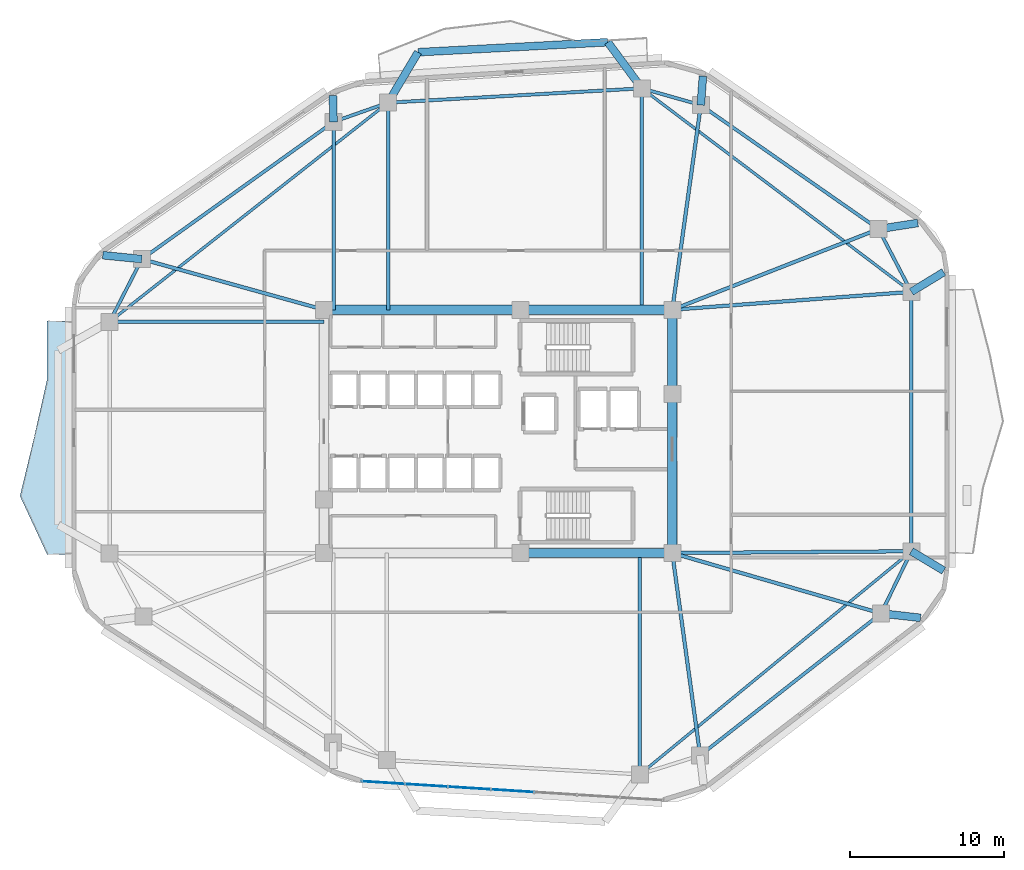
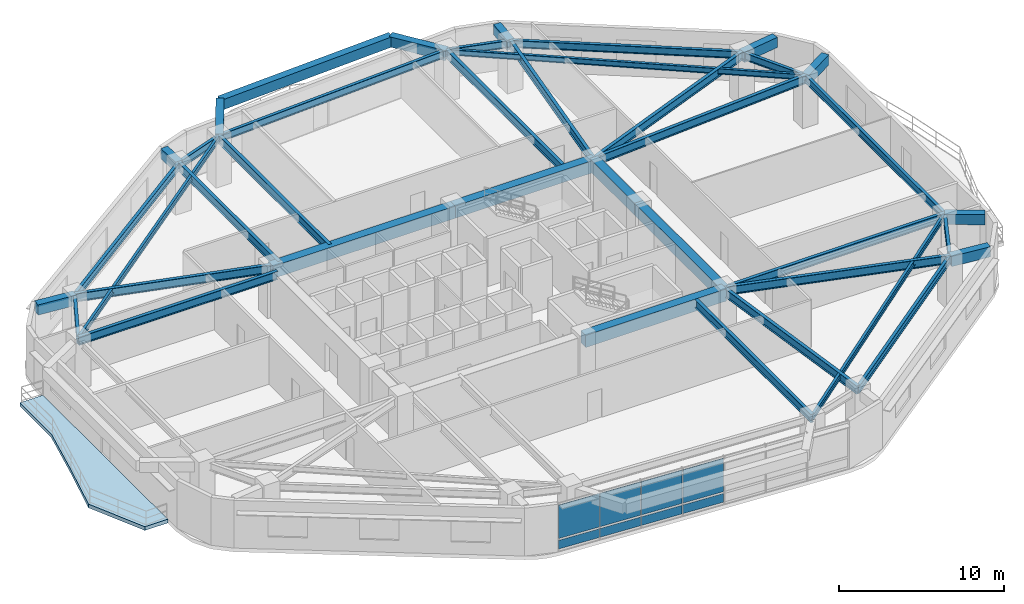
# One storey, part 5 of 12: 40 beams, 8 plates, 1 slab, 1 element without a shape of its own.
"""IFC4 building model written with IfcOpenShell, lengths in metres."""

from ifc_helpers import new_model, si_unit, direction, frame, origin, origin_2d, place, context, subcontext, project, spatial, polyline, rectangle, i_section, outline, extrude, material, layer, layer_set, material_profile, profile_set, type_object, element, aggregate, save


model = new_model("IFC4")

# Units and contexts
model_context = context("Model", 3, precision=1e-05, world=origin(), true_north=direction((0.0, 1.0)))
body_context = subcontext(model_context, "Body", "Model", "MODEL_VIEW")
ifc_project = project(units=[si_unit("LENGTHUNIT", "METRE"), si_unit("AREAUNIT", "SQUARE_METRE"), si_unit("VOLUMEUNIT", "CUBIC_METRE"), si_unit("PLANEANGLEUNIT", "RADIAN"), si_unit("MASSUNIT", "GRAM", prefix="KILO")], contexts=[model_context])

# Site, building, storey
site_placement = place(None, origin())
site = spatial("IfcSite", under=ifc_project, at=site_placement, CompositionType="ELEMENT")
building_placement = place(site_placement, origin())
building = spatial("IfcBuilding", under=site, at=building_placement, Name="Zulverin Broadcast Headquarters", CompositionType="ELEMENT")
storey_placement = place(building_placement, frame((0.0, 0.0, 93.39990234375)))
storey = spatial("IfcBuildingStorey", under=building, at=storey_placement, Name="L23", CompositionType="ELEMENT", Elevation=93.39990234375)

# Beams
ifc_material_1 = material(Name="Concrete C60/75", Category="concrete")
ifc_material_profile_1 = material_profile(ifc_material_1, rectangle(XDim=0.60009765625, YDim=0.89990234375, at=origin_2d()), Name="Concrete C60/75", Category="concrete")
ifc_profile_set_1 = profile_set([ifc_material_profile_1], Name="Concrete C60/75")
beam_type_1 = type_object("IfcBeamType", Name="BM-CB-600x900", PredefinedType="LINTEL", material=ifc_profile_set_1)
beam_1_placement = place(storey_placement, frame((38.449951171875, 17.324951171875, 3.0751953125), z_axis=(1.0, 0.0, 0.0), x_axis=(0.0, 1.0, 0.0)))
element("IfcBeam", 1, at=beam_1_placement, inside=storey, type_object=beam_type_1, Name="L23 Core Coupling Girder K02-K03", PredefinedType="LINTEL", context=body_context, shape_type="SweptSolid", body=[
    extrude(rectangle(XDim=0.60009765625, YDim=0.89990234375, at=origin_2d()), origin(), (0.0, 0.0, 1.0), 9.824951171875),
])
beam_2_placement = place(storey_placement, frame((48.27490234375, 17.324951171875, 3.0751953125), z_axis=(0.0, 1.0, 0.0), x_axis=(-1.0, 0.0, 0.0)))
element("IfcBeam", 2, at=beam_2_placement, inside=storey, type_object=beam_type_1, Name="L23 Core Coupling Girder K03-K04", PredefinedType="LINTEL", context=body_context, shape_type="SweptSolid", body=[
    extrude(rectangle(XDim=0.60009765625, YDim=0.89990234375, at=origin_2d()), origin(), (0.0, 0.0, 1.0), 10.295166015625),
])
beam_3_placement = place(storey_placement, frame((48.27490234375, 27.6201171875, 3.0751953125), z_axis=(0.0, 1.0, 0.0), x_axis=(-1.0, 0.0, 0.0)))
element("IfcBeam", 3, at=beam_3_placement, inside=storey, type_object=beam_type_1, Name="L23 Core Coupling Girder K04-K05", PredefinedType="LINTEL", context=body_context, shape_type="SweptSolid", body=[
    extrude(rectangle(XDim=0.60009765625, YDim=0.89990234375, at=origin_2d()), origin(), (0.0, 0.0, 1.0), 5.454833984375),
])
beam_4_placement = place(storey_placement, frame((48.27490234375, 33.074951171875, 3.0751953125), z_axis=(-1.0, 0.0, 0.0), x_axis=(0.0, -1.0, 0.0)))
element("IfcBeam", 4, at=beam_4_placement, inside=storey, type_object=beam_type_1, Name="L23 Core Coupling Girder K05-K06", PredefinedType="LINTEL", context=body_context, shape_type="SweptSolid", body=[
    extrude(rectangle(XDim=0.60009765625, YDim=0.89990234375, at=origin_2d()), origin(), (0.0, 0.0, 1.0), 9.824951171875),
])
beam_5_placement = place(storey_placement, frame((38.449951171875, 33.074951171875, 3.0751953125), z_axis=(-1.0, 0.0, 0.0), x_axis=(0.0, -1.0, 0.0)))
element("IfcBeam", 5, at=beam_5_placement, inside=storey, type_object=beam_type_1, Name="L23 Core Coupling Girder K06-K07", PredefinedType="LINTEL", context=body_context, shape_type="SweptSolid", body=[
    extrude(rectangle(XDim=0.60009765625, YDim=0.89990234375, at=origin_2d()), origin(), (0.0, 0.0, 1.0), 12.724853515625),
])
ifc_material_2 = material(Name="Concrete C40/50", Category="concrete")
ifc_material_profile_2 = material_profile(ifc_material_2, rectangle(XDim=0.5, YDim=0.75, at=origin_2d()), Name="Concrete C40/50", Category="concrete")
ifc_profile_set_2 = profile_set([ifc_material_profile_2], Name="Concrete C40/50")
beam_type_2 = type_object("IfcBeamType", Name="BM-RC-500x750", PredefinedType="BEAM", material=ifc_profile_set_2)
beam_6_placement = place(storey_placement, frame((61.79296875, 13.416259765625, 3.150146484375), z_axis=(0.993797661948, -0.111203449166, 0.0), x_axis=(0.111203449166, 0.993797661948, 0.0)))
element("IfcBeam", 6, at=beam_6_placement, inside=storey, type_object=beam_type_2, Name="L24 Plate Overhang Back-Spanned Beam OVR-04", PredefinedType="BEAM", context=body_context, shape_type="SweptSolid", body=[
    extrude(rectangle(XDim=0.5, YDim=0.75, at=origin_2d()), origin(), (0.0, 0.0, 1.0), 2.568603515625),
])
beam_7_placement = place(storey_placement, frame((63.75, 17.439697265625, 3.150146484375), z_axis=(0.858161199639, -0.513380322407, 0.0), x_axis=(0.513380322407, 0.858161199639, 0.0)))
element("IfcBeam", 7, at=beam_7_placement, inside=storey, type_object=beam_type_2, Name="L24 Plate Overhang Back-Spanned Beam OVR-05", PredefinedType="BEAM", context=body_context, shape_type="SweptSolid", body=[
    extrude(rectangle(XDim=0.5, YDim=0.75, at=origin_2d()), origin(), (0.0, 0.0, 1.0), 2.447265625),
])
beam_8_placement = place(storey_placement, frame((63.75, 34.235107421875, 3.150146484375), z_axis=(0.854022127196, 0.520236682924, 0.0), x_axis=(-0.520236682924, 0.854022127196, 0.0)))
element("IfcBeam", 8, at=beam_8_placement, inside=storey, type_object=beam_type_2, Name="L24 Plate Overhang Back-Spanned Beam OVR-06", PredefinedType="BEAM", context=body_context, shape_type="SweptSolid", body=[
    extrude(rectangle(XDim=0.5, YDim=0.75, at=origin_2d()), origin(), (0.0, 0.0, 1.0), 2.458984375),
])
beam_9_placement = place(storey_placement, frame((61.630126953125, 38.298583984375, 3.150146484375), z_axis=(0.988133444256, 0.153597839639, 0.0), x_axis=(-0.153597839639, 0.988133444256, 0.0)))
element("IfcBeam", 9, at=beam_9_placement, inside=storey, type_object=beam_type_2, Name="L24 Plate Overhang Back-Spanned Beam OVR-07", PredefinedType="BEAM", context=body_context, shape_type="SweptSolid", body=[
    extrude(rectangle(XDim=0.5, YDim=0.75, at=origin_2d()), origin(), (0.0, 0.0, 1.0), 2.57177734375),
])
beam_10_placement = place(storey_placement, frame((50.121826171875, 46.325927734375, 3.150146484375), z_axis=(0.073023006252, 0.997330256514, 0.0), x_axis=(-0.997330256514, 0.073023006252, 0.0)))
element("IfcBeam", 10, at=beam_10_placement, inside=storey, type_object=beam_type_2, Name="L24 Plate Overhang Back-Spanned Beam OVR-08", PredefinedType="BEAM", context=body_context, shape_type="SweptSolid", body=[
    extrude(rectangle(XDim=0.5, YDim=0.75, at=origin_2d()), origin(), (0.0, 0.0, 1.0), 1.875732421875),
])
beam_11_placement = place(storey_placement, frame((26.344482421875, 45.23828125, 3.150146484375), z_axis=(-0.025024345209, 0.999686842039, 0.0), x_axis=(-0.999686842039, -0.025024345209, 0.0)))
element("IfcBeam", 11, at=beam_11_placement, inside=storey, type_object=beam_type_2, Name="L24 Plate Overhang Back-Spanned Beam OVR-11", PredefinedType="BEAM", context=body_context, shape_type="SweptSolid", body=[
    extrude(rectangle(XDim=0.5, YDim=0.75, at=origin_2d()), origin(), (0.0, 0.0, 1.0), 1.707275390625),
])
beam_12_placement = place(storey_placement, frame((13.934326171875, 36.353759765625, 3.150146484375), z_axis=(-0.995008621602, 0.09978899207, 0.0), x_axis=(-0.09978899207, -0.995008621602, 0.0)))
element("IfcBeam", 12, at=beam_12_placement, inside=storey, type_object=beam_type_2, Name="L24 Plate Overhang Back-Spanned Beam OVR-12", PredefinedType="BEAM", context=body_context, shape_type="SweptSolid", body=[
    extrude(rectangle(XDim=0.5, YDim=0.75, at=origin_2d()), origin(), (0.0, 0.0, 1.0), 2.5419921875),
])
beam_13_placement = place(storey_placement, frame((46.30224609375, 47.4091796875, 3.150146484375), z_axis=(-0.592976836996, 0.805219517142, 0.0), x_axis=(-0.805219517142, -0.592976836996, 0.0)))
element("IfcBeam", 13, at=beam_13_placement, inside=storey, type_object=beam_type_2, Name="L24 Balcony Column-Framed Cantilever BAL_N-1", PredefinedType="BEAM", context=body_context, shape_type="SweptSolid", body=[
    extrude(rectangle(XDim=0.5, YDim=0.75, at=origin_2d()), origin(), (0.0, 0.0, 1.0), 3.7109375),
])
beam_14_placement = place(storey_placement, frame((29.873779296875, 46.482177734375, 3.150146484375), z_axis=(0.511024077234, 0.859566397952, 0.0), x_axis=(-0.859566397952, 0.511024077234, 0.0)))
element("IfcBeam", 14, at=beam_14_placement, inside=storey, type_object=beam_type_2, Name="L24 Balcony Column-Framed Cantilever BAL_N-2", PredefinedType="BEAM", context=body_context, shape_type="SweptSolid", body=[
    extrude(rectangle(XDim=0.5, YDim=0.75, at=origin_2d()), origin(), (0.0, 0.0, 1.0), 3.800048828125),
])
beam_15_placement = place(storey_placement, frame((44.101806640625, 50.397216796875, 3.150146484375), z_axis=(-0.998609099768, -0.052724433234, 0.0), x_axis=(0.052724433234, -0.998609099768, 0.0)))
element("IfcBeam", 15, at=beam_15_placement, inside=storey, type_object=beam_type_2, Name="L24 Balcony Outer Edge Trimmer Beam BAL_N", PredefinedType="BEAM", context=body_context, shape_type="SweptSolid", body=[
    extrude(rectangle(XDim=0.5, YDim=0.75, at=origin_2d()), origin(), (0.0, 0.0, 1.0), 12.30322265625),
])
ifc_material_3 = material(Name="Structural steel S355JR", Category="steel")
ifc_material_profile_3 = material_profile(ifc_material_3, i_section(OverallWidth=0.179443359375, OverallDepth=0.412841796875, WebThickness=0.009521484375, FlangeThickness=0.01611328125, at=origin_2d()), Name="Structural steel S355JR", Category="steel")
ifc_profile_set_3 = profile_set([ifc_material_profile_3], Name="Structural steel S355JR")
beam_type_3 = type_object("IfcBeamType", Name="BM-UB-406", PredefinedType="JOIST", material=ifc_profile_set_3)
beam_16_placement = place(storey_placement, frame((46.175048828125, 2.997802734375, 3.318603515625), z_axis=(0.772611370623, 0.634879256224, 0.0), x_axis=(-0.634879256224, 0.772611370623, 0.0)))
element("IfcBeam", 16, at=beam_16_placement, inside=storey, type_object=beam_type_3, Name="L23 Chordal Floor Joist J-01", PredefinedType="JOIST", context=body_context, shape_type="SweptSolid", body=[
    extrude(i_section(OverallWidth=0.179443359375, OverallDepth=0.412841796875, WebThickness=0.009521484375, FlangeThickness=0.01611328125, at=origin_2d()), origin(), (0.0, 0.0, 1.0), 22.74755859375),
])
beam_17_placement = place(storey_placement, frame((63.75, 34.235107421875, 3.318603515625), z_axis=(-0.798058136838, 0.602580459546, 0.0), x_axis=(-0.602580459546, -0.798058136838, 0.0)))
element("IfcBeam", 17, at=beam_17_placement, inside=storey, type_object=beam_type_3, Name="L23 Chordal Floor Joist J-02", PredefinedType="JOIST", context=body_context, shape_type="SweptSolid", body=[
    extrude(i_section(OverallWidth=0.179443359375, OverallDepth=0.412841796875, WebThickness=0.009521484375, FlangeThickness=0.01611328125, at=origin_2d()), origin(), (0.0, 0.0, 1.0), 21.86279296875),
])
beam_18_placement = place(storey_placement, frame((29.873779296875, 46.482177734375, 3.318603515625), z_axis=(-0.78583902739, -0.618431098047, 0.0), x_axis=(0.618431098047, -0.78583902739, 0.0)))
element("IfcBeam", 18, at=beam_18_placement, inside=storey, type_object=beam_type_3, Name="L23 Chordal Floor Joist J-03", PredefinedType="JOIST", context=body_context, shape_type="SweptSolid", body=[
    extrude(i_section(OverallWidth=0.179443359375, OverallDepth=0.412841796875, WebThickness=0.009521484375, FlangeThickness=0.01611328125, at=origin_2d()), origin(), (0.0, 0.0, 1.0), 22.935546875),
])
ifc_material_profile_4 = material_profile(ifc_material_3, i_section(OverallWidth=0.2119140625, OverallDepth=0.54443359375, WebThickness=0.0126953125, FlangeThickness=0.021240234375, at=origin_2d()), Name="Structural steel S355JR", Category="steel")
ifc_profile_set_4 = profile_set([ifc_material_profile_4], Name="Structural steel S355JR")
beam_type_4 = type_object("IfcBeamType", Name="BM-UB-533", PredefinedType="SPANDREL", material=ifc_profile_set_4)
beam_19_placement = place(storey_placement, frame((50.08056640625, 4.22509765625, 3.252685546875), z_axis=(0.786691476208, 0.617346354376, 0.0), x_axis=(-0.617346354376, 0.786691476208, 0.0)))
element("IfcBeam", 19, at=beam_19_placement, inside=storey, type_object=beam_type_4, Name="L23 Perimeter Spandrel Beam SP-03", PredefinedType="SPANDREL", context=body_context, shape_type="SweptSolid", body=[
    extrude(i_section(OverallWidth=0.2119140625, OverallDepth=0.54443359375, WebThickness=0.0126953125, FlangeThickness=0.021240234375, at=origin_2d()), origin(), (0.0, 0.0, 1.0), 14.88818359375),
])
beam_20_placement = place(storey_placement, frame((61.79296875, 13.416259765625, 3.252685546875), z_axis=(0.437408475872, 0.899262934428, 0.0), x_axis=(-0.899262934428, 0.437408475872, 0.0)))
element("IfcBeam", 20, at=beam_20_placement, inside=storey, type_object=beam_type_4, Name="L23 Perimeter Spandrel Beam SP-04", PredefinedType="SPANDREL", context=body_context, shape_type="SweptSolid", body=[
    extrude(i_section(OverallWidth=0.2119140625, OverallDepth=0.54443359375, WebThickness=0.0126953125, FlangeThickness=0.021240234375, at=origin_2d()), origin(), (0.0, 0.0, 1.0), 4.47412109375),
])
beam_21_placement = place(storey_placement, frame((63.75, 17.439697265625, 3.252685546875), z_axis=(0.0, 1.0, 0.0), x_axis=(-1.0, 0.0, 0.0)))
element("IfcBeam", 21, at=beam_21_placement, inside=storey, type_object=beam_type_4, Name="L23 Perimeter Spandrel Beam SP-05", PredefinedType="SPANDREL", context=body_context, shape_type="SweptSolid", body=[
    extrude(i_section(OverallWidth=0.2119140625, OverallDepth=0.54443359375, WebThickness=0.0126953125, FlangeThickness=0.021240234375, at=origin_2d()), origin(), (0.0, 0.0, 1.0), 16.79541015625),
])
beam_22_placement = place(storey_placement, frame((63.75, 34.235107421875, 3.252685546875), z_axis=(-0.462531417359, 0.886602891917, 0.0), x_axis=(-0.886602891917, -0.462531417359, 0.0)))
element("IfcBeam", 22, at=beam_22_placement, inside=storey, type_object=beam_type_4, Name="L23 Perimeter Spandrel Beam SP-06", PredefinedType="SPANDREL", context=body_context, shape_type="SweptSolid", body=[
    extrude(i_section(OverallWidth=0.2119140625, OverallDepth=0.54443359375, WebThickness=0.0126953125, FlangeThickness=0.021240234375, at=origin_2d()), origin(), (0.0, 0.0, 1.0), 4.583251953125),
])
beam_23_placement = place(storey_placement, frame((61.630126953125, 38.298583984375, 3.252685546875), z_axis=(-0.820183915206, 0.5720999434, 0.0), x_axis=(-0.5720999434, -0.820183915206, 0.0)))
element("IfcBeam", 23, at=beam_23_placement, inside=storey, type_object=beam_type_4, Name="L23 Perimeter Spandrel Beam SP-07", PredefinedType="SPANDREL", context=body_context, shape_type="SweptSolid", body=[
    extrude(i_section(OverallWidth=0.2119140625, OverallDepth=0.54443359375, WebThickness=0.0126953125, FlangeThickness=0.021240234375, at=origin_2d()), origin(), (0.0, 0.0, 1.0), 14.03125),
])
beam_24_placement = place(storey_placement, frame((50.121826171875, 46.325927734375, 3.252685546875), z_axis=(-0.962058150721, 0.272844487999, 0.0), x_axis=(-0.272844487999, -0.962058150721, 0.0)))
element("IfcBeam", 24, at=beam_24_placement, inside=storey, type_object=beam_type_4, Name="L23 Perimeter Spandrel Beam SP-08", PredefinedType="SPANDREL", context=body_context, shape_type="SweptSolid", body=[
    extrude(i_section(OverallWidth=0.2119140625, OverallDepth=0.54443359375, WebThickness=0.0126953125, FlangeThickness=0.021240234375, at=origin_2d()), origin(), (0.0, 0.0, 1.0), 3.97021484375),
])
beam_25_placement = place(storey_placement, frame((46.30224609375, 47.4091796875, 3.252685546875), z_axis=(-0.998411812904, -0.056336949274, 0.0), x_axis=(0.056336949274, -0.998411812904, 0.0)))
element("IfcBeam", 25, at=beam_25_placement, inside=storey, type_object=beam_type_4, Name="L23 Perimeter Spandrel Beam SP-09", PredefinedType="SPANDREL", context=body_context, shape_type="SweptSolid", body=[
    extrude(i_section(OverallWidth=0.2119140625, OverallDepth=0.54443359375, WebThickness=0.0126953125, FlangeThickness=0.021240234375, at=origin_2d()), origin(), (0.0, 0.0, 1.0), 16.45458984375),
])
beam_26_placement = place(storey_placement, frame((29.873779296875, 46.482177734375, 3.252685546875), z_axis=(-0.943135983398, -0.332407155189, 0.0), x_axis=(0.332407155189, -0.943135983398, 0.0)))
element("IfcBeam", 26, at=beam_26_placement, inside=storey, type_object=beam_type_4, Name="L23 Perimeter Spandrel Beam SP-10", PredefinedType="SPANDREL", context=body_context, shape_type="SweptSolid", body=[
    extrude(i_section(OverallWidth=0.2119140625, OverallDepth=0.54443359375, WebThickness=0.0126953125, FlangeThickness=0.021240234375, at=origin_2d()), origin(), (0.0, 0.0, 1.0), 3.7421875),
])
beam_27_placement = place(storey_placement, frame((26.344482421875, 45.23828125, 3.252685546875), z_axis=(-0.813109374453, -0.582110938891, 0.0), x_axis=(0.582110938891, -0.813109374453, 0.0)))
element("IfcBeam", 27, at=beam_27_placement, inside=storey, type_object=beam_type_4, Name="L23 Perimeter Spandrel Beam SP-11", PredefinedType="SPANDREL", context=body_context, shape_type="SweptSolid", body=[
    extrude(i_section(OverallWidth=0.2119140625, OverallDepth=0.54443359375, WebThickness=0.0126953125, FlangeThickness=0.021240234375, at=origin_2d()), origin(), (0.0, 0.0, 1.0), 15.2626953125),
])
beam_28_placement = place(storey_placement, frame((13.934326171875, 36.353759765625, 3.252685546875), z_axis=(-0.457080631948, -0.889425261558, 0.0), x_axis=(0.889425261558, -0.457080631948, 0.0)))
element("IfcBeam", 28, at=beam_28_placement, inside=storey, type_object=beam_type_4, Name="L23 Perimeter Spandrel Beam SP-12", PredefinedType="SPANDREL", context=body_context, shape_type="SweptSolid", body=[
    extrude(i_section(OverallWidth=0.2119140625, OverallDepth=0.54443359375, WebThickness=0.0126953125, FlangeThickness=0.021240234375, at=origin_2d()), origin(), (0.0, 0.0, 1.0), 4.559814453125),
])
ifc_material_profile_5 = material_profile(ifc_material_3, i_section(OverallWidth=0.230224609375, OverallDepth=0.6171875, WebThickness=0.01318359375, FlangeThickness=0.022216796875, at=origin_2d()), Name="Structural steel S355JR", Category="steel")
ifc_profile_set_5 = profile_set([ifc_material_profile_5], Name="Structural steel S355JR")
beam_type_5 = type_object("IfcBeamType", Name="BM-UB-610", PredefinedType="BEAM", material=ifc_profile_set_5)
beam_29_placement = place(storey_placement, frame((46.175048828125, 17.324951171875, 3.216552734375), z_axis=(0.0, -1.0, 0.0), x_axis=(1.0, 0.0, 0.0)))
element("IfcBeam", 29, at=beam_29_placement, inside=storey, type_object=beam_type_5, Name="L23 Radial Primary Floor Beam RB-02", PredefinedType="BEAM", context=body_context, shape_type="SweptSolid", body=[
    extrude(i_section(OverallWidth=0.230224609375, OverallDepth=0.6171875, WebThickness=0.01318359375, FlangeThickness=0.022216796875, at=origin_2d()), origin(), (0.0, 0.0, 1.0), 14.3271484375),
])
beam_30_placement = place(storey_placement, frame((48.27490234375, 17.324951171875, 3.216552734375), z_axis=(0.136547433081, -0.990633533916, 0.0), x_axis=(0.990633533916, 0.136547433081, 0.0)))
element("IfcBeam", 30, at=beam_30_placement, inside=storey, type_object=beam_type_5, Name="L23 Radial Primary Floor Beam RB-03", PredefinedType="BEAM", context=body_context, shape_type="SweptSolid", body=[
    extrude(i_section(OverallWidth=0.230224609375, OverallDepth=0.6171875, WebThickness=0.01318359375, FlangeThickness=0.022216796875, at=origin_2d()), origin(), (0.0, 0.0, 1.0), 13.2236328125),
])
beam_31_placement = place(storey_placement, frame((48.27490234375, 17.324951171875, 3.216552734375), z_axis=(0.960648363311, -0.277767388416, 0.0), x_axis=(0.277767388416, 0.960648363311, 0.0)))
element("IfcBeam", 31, at=beam_31_placement, inside=storey, type_object=beam_type_5, Name="L23 Radial Primary Floor Beam RB-04", PredefinedType="BEAM", context=body_context, shape_type="SweptSolid", body=[
    extrude(i_section(OverallWidth=0.230224609375, OverallDepth=0.6171875, WebThickness=0.01318359375, FlangeThickness=0.022216796875, at=origin_2d()), origin(), (0.0, 0.0, 1.0), 14.07177734375),
])
beam_32_placement = place(storey_placement, frame((48.27490234375, 17.324951171875, 3.216552734375), z_axis=(0.999972510862, 0.007414682739, 0.0), x_axis=(-0.007414682739, 0.999972510862, 0.0)))
element("IfcBeam", 32, at=beam_32_placement, inside=storey, type_object=beam_type_5, Name="L23 Radial Primary Floor Beam RB-05", PredefinedType="BEAM", context=body_context, shape_type="SweptSolid", body=[
    extrude(i_section(OverallWidth=0.230224609375, OverallDepth=0.6171875, WebThickness=0.01318359375, FlangeThickness=0.022216796875, at=origin_2d()), origin(), (0.0, 0.0, 1.0), 15.4755859375),
])
beam_33_placement = place(storey_placement, frame((48.27490234375, 33.074951171875, 3.216552734375), z_axis=(0.997201597387, 0.074759442003, 0.0), x_axis=(-0.074759442003, 0.997201597387, 0.0)))
element("IfcBeam", 33, at=beam_33_placement, inside=storey, type_object=beam_type_5, Name="L23 Radial Primary Floor Beam RB-06", PredefinedType="BEAM", context=body_context, shape_type="SweptSolid", body=[
    extrude(i_section(OverallWidth=0.230224609375, OverallDepth=0.6171875, WebThickness=0.01318359375, FlangeThickness=0.022216796875, at=origin_2d()), origin(), (0.0, 0.0, 1.0), 15.5185546875),
])
beam_34_placement = place(storey_placement, frame((48.27490234375, 33.074951171875, 3.216552734375), z_axis=(0.931297778153, 0.364258765723, 0.0), x_axis=(-0.364258765723, 0.931297778153, 0.0)))
element("IfcBeam", 34, at=beam_34_placement, inside=storey, type_object=beam_type_5, Name="L23 Radial Primary Floor Beam RB-07", PredefinedType="BEAM", context=body_context, shape_type="SweptSolid", body=[
    extrude(i_section(OverallWidth=0.230224609375, OverallDepth=0.6171875, WebThickness=0.01318359375, FlangeThickness=0.022216796875, at=origin_2d()), origin(), (0.0, 0.0, 1.0), 14.34033203125),
])
beam_35_placement = place(storey_placement, frame((48.27490234375, 33.074951171875, 3.216552734375), z_axis=(0.138045758193, 0.990425852169, 0.0), x_axis=(-0.990425852169, 0.138045758193, 0.0)))
element("IfcBeam", 35, at=beam_35_placement, inside=storey, type_object=beam_type_5, Name="L23 Radial Primary Floor Beam RB-08", PredefinedType="BEAM", context=body_context, shape_type="SweptSolid", body=[
    extrude(i_section(OverallWidth=0.230224609375, OverallDepth=0.6171875, WebThickness=0.01318359375, FlangeThickness=0.022216796875, at=origin_2d()), origin(), (0.0, 0.0, 1.0), 13.379150390625),
])
beam_36_placement = place(storey_placement, frame((46.30224609375, 33.074951171875, 3.216552734375), z_axis=(0.0, 1.0, 0.0), x_axis=(-1.0, 0.0, 0.0)))
element("IfcBeam", 36, at=beam_36_placement, inside=storey, type_object=beam_type_5, Name="L23 Radial Primary Floor Beam RB-09", PredefinedType="BEAM", context=body_context, shape_type="SweptSolid", body=[
    extrude(i_section(OverallWidth=0.230224609375, OverallDepth=0.6171875, WebThickness=0.01318359375, FlangeThickness=0.022216796875, at=origin_2d()), origin(), (0.0, 0.0, 1.0), 14.334228515625),
])
beam_37_placement = place(storey_placement, frame((29.873779296875, 33.074951171875, 3.216552734375), z_axis=(0.0, 1.0, 0.0), x_axis=(-1.0, 0.0, 0.0)))
element("IfcBeam", 37, at=beam_37_placement, inside=storey, type_object=beam_type_5, Name="L23 Radial Primary Floor Beam RB-10", PredefinedType="BEAM", context=body_context, shape_type="SweptSolid", body=[
    extrude(i_section(OverallWidth=0.230224609375, OverallDepth=0.6171875, WebThickness=0.01318359375, FlangeThickness=0.022216796875, at=origin_2d()), origin(), (0.0, 0.0, 1.0), 13.4072265625),
])
beam_38_placement = place(storey_placement, frame((26.344482421875, 33.074951171875, 3.216552734375), z_axis=(0.0, 1.0, 0.0), x_axis=(-1.0, 0.0, 0.0)))
element("IfcBeam", 38, at=beam_38_placement, inside=storey, type_object=beam_type_5, Name="L23 Radial Primary Floor Beam RB-11", PredefinedType="BEAM", context=body_context, shape_type="SweptSolid", body=[
    extrude(i_section(OverallWidth=0.230224609375, OverallDepth=0.6171875, WebThickness=0.01318359375, FlangeThickness=0.022216796875, at=origin_2d()), origin(), (0.0, 0.0, 1.0), 12.163330078125),
])
beam_39_placement = place(storey_placement, frame((25.72509765625, 33.074951171875, 3.216552734375), z_axis=(-0.963442133037, 0.267916509922, 0.0), x_axis=(-0.267916509922, -0.963442133037, 0.0)))
element("IfcBeam", 39, at=beam_39_placement, inside=storey, type_object=beam_type_5, Name="L23 Radial Primary Floor Beam RB-12", PredefinedType="BEAM", context=body_context, shape_type="SweptSolid", body=[
    extrude(i_section(OverallWidth=0.230224609375, OverallDepth=0.6171875, WebThickness=0.01318359375, FlangeThickness=0.022216796875, at=origin_2d()), origin(), (0.0, 0.0, 1.0), 12.23828125),
])
beam_40_placement = place(storey_placement, frame((25.72509765625, 32.298095703125, 3.216552734375), z_axis=(-1.0, 0.0, 0.0), x_axis=(0.0, -1.0, 0.0)))
element("IfcBeam", 40, at=beam_40_placement, inside=storey, type_object=beam_type_5, Name="L23 Radial Primary Floor Beam RB-13", PredefinedType="BEAM", context=body_context, shape_type="SweptSolid", body=[
    extrude(i_section(OverallWidth=0.230224609375, OverallDepth=0.6171875, WebThickness=0.01318359375, FlangeThickness=0.022216796875, at=origin_2d()), origin(), (0.0, 0.0, 1.0), 13.875),
])

# Curtain wall, plates
ifc_material_4 = material(Name="Low-zone ribbon unitised curtain wall", Category="aluminium")
curtain_wall_type = type_object("IfcCurtainWallType", Name="CW-TWR-LOW", PredefinedType="USERDEFINED", material=ifc_material_4)
curtain_wall_placement = place(storey_placement, origin())
curtain_wall = element("IfcCurtainWall", 41, at=curtain_wall_placement, inside=storey, type_object=curtain_wall_type, Name="L23 Unitised Curtain Wall CW-L23-E1", ObjectType="UNITISED CURTAIN WALL", PredefinedType="USERDEFINED")
ifc_material_5 = material(Name="Low-E double-glazed pale-silver vision glass", Category="glass")
ifc_layer_1 = layer(ifc_material_5, 0.035888671875, Name="Low-E double-glazed pale-silver vision glass", Category="glass")
ifc_layer_set_1 = layer_set([ifc_layer_1], Name="Low-E double-glazed pale-silver vision glass")
plate_type_1 = type_object("IfcPlateType", Name="CW-PNL-GLZ", PredefinedType="CURTAIN_PANEL", material=ifc_layer_set_1)
plate_1_placement = place(storey_placement, frame((29.5556640625, 2.463134765625, 0.9111328125), z_axis=(0.0, 0.0, 1.0), x_axis=(0.998017182581, -0.062942062821, 0.0)))
plate_1 = element("IfcPlate", 42, at=plate_1_placement, type_object=plate_type_1, Name="CW-L23-E1 Vision Panel 00", PredefinedType="CURTAIN_PANEL", context=body_context, shape_type="SweptSolid", body=[
    extrude(rectangle(XDim=2.756591796875, YDim=0.035888671875, at=origin_2d()), origin(), (0.0, 0.0, 1.0), 2.47412109375),
])
plate_2_placement = place(storey_placement, frame((32.3466796875, 2.287109375, 0.9111328125), z_axis=(0.0, 0.0, 1.0), x_axis=(0.998017182581, -0.062942062821, 0.0)))
plate_2 = element("IfcPlate", 43, at=plate_2_placement, type_object=plate_type_1, Name="CW-L23-E1 Vision Panel 01", PredefinedType="CURTAIN_PANEL", context=body_context, shape_type="SweptSolid", body=[
    extrude(rectangle(XDim=2.756591796875, YDim=0.035888671875, at=origin_2d()), origin(), (0.0, 0.0, 1.0), 2.47412109375),
])
plate_3_placement = place(storey_placement, frame((35.137939453125, 2.111083984375, 0.9111328125), z_axis=(0.0, 0.0, 1.0), x_axis=(0.998017182581, -0.062942062821, 0.0)))
plate_3 = element("IfcPlate", 44, at=plate_3_placement, type_object=plate_type_1, Name="CW-L23-E1 Vision Panel 02", PredefinedType="CURTAIN_PANEL", context=body_context, shape_type="SweptSolid", body=[
    extrude(rectangle(XDim=2.756591796875, YDim=0.035888671875, at=origin_2d()), origin(), (0.0, 0.0, 1.0), 2.47412109375),
])
plate_4_placement = place(storey_placement, frame((37.92919921875, 1.93505859375, 0.9111328125), z_axis=(0.0, 0.0, 1.0), x_axis=(0.998017182581, -0.062942062821, 0.0)))
plate_4 = element("IfcPlate", 45, at=plate_4_placement, type_object=plate_type_1, Name="CW-L23-E1 Vision Panel 03", PredefinedType="CURTAIN_PANEL", context=body_context, shape_type="SweptSolid", body=[
    extrude(rectangle(XDim=2.756591796875, YDim=0.035888671875, at=origin_2d()), origin(), (0.0, 0.0, 1.0), 2.47412109375),
])
ifc_material_6 = material(Name="Insulated brushed pale-aluminium spandrel cassette", Category="aluminium")
ifc_layer_2 = layer(ifc_material_6, 0.050048828125, Name="Insulated brushed pale-aluminium spandrel cassette", Category="aluminium")
ifc_layer_set_2 = layer_set([ifc_layer_2], Name="Insulated brushed pale-aluminium spandrel cassette")
plate_type_2 = type_object("IfcPlateType", Name="CW-PNL-SPN", PredefinedType="CURTAIN_PANEL", material=ifc_layer_set_2)
plate_5_placement = place(storey_placement, frame((29.5556640625, 2.463134765625, 0.14013671875), z_axis=(0.0, 0.0, 1.0), x_axis=(0.998017182581, -0.062942062821, 0.0)))
plate_5 = element("IfcPlate", 46, at=plate_5_placement, type_object=plate_type_2, Name="CW-L23-E1 Spandrel Cassette 00", PredefinedType="CURTAIN_PANEL", context=body_context, shape_type="SweptSolid", body=[
    extrude(rectangle(XDim=2.756591796875, YDim=0.050048828125, at=origin_2d()), origin(), (0.0, 0.0, 1.0), 0.64111328125),
])
plate_6_placement = place(storey_placement, frame((32.3466796875, 2.287109375, 0.14013671875), z_axis=(0.0, 0.0, 1.0), x_axis=(0.998017182581, -0.062942062821, 0.0)))
plate_6 = element("IfcPlate", 47, at=plate_6_placement, type_object=plate_type_2, Name="CW-L23-E1 Spandrel Cassette 01", PredefinedType="CURTAIN_PANEL", context=body_context, shape_type="SweptSolid", body=[
    extrude(rectangle(XDim=2.756591796875, YDim=0.050048828125, at=origin_2d()), origin(), (0.0, 0.0, 1.0), 0.64111328125),
])
plate_7_placement = place(storey_placement, frame((35.137939453125, 2.111083984375, 0.14013671875), z_axis=(0.0, 0.0, 1.0), x_axis=(0.998017182581, -0.062942062821, 0.0)))
plate_7 = element("IfcPlate", 48, at=plate_7_placement, type_object=plate_type_2, Name="CW-L23-E1 Spandrel Cassette 02", PredefinedType="CURTAIN_PANEL", context=body_context, shape_type="SweptSolid", body=[
    extrude(rectangle(XDim=2.756591796875, YDim=0.050048828125, at=origin_2d()), origin(), (0.0, 0.0, 1.0), 0.64111328125),
])
plate_8_placement = place(storey_placement, frame((37.92919921875, 1.93505859375, 0.14013671875), z_axis=(0.0, 0.0, 1.0), x_axis=(0.998017182581, -0.062942062821, 0.0)))
plate_8 = element("IfcPlate", 49, at=plate_8_placement, type_object=plate_type_2, Name="CW-L23-E1 Spandrel Cassette 03", PredefinedType="CURTAIN_PANEL", context=body_context, shape_type="SweptSolid", body=[
    extrude(rectangle(XDim=2.756591796875, YDim=0.050048828125, at=origin_2d()), origin(), (0.0, 0.0, 1.0), 0.64111328125),
])
aggregate(curtain_wall, [plate_5, plate_1, plate_6, plate_2, plate_7, plate_3, plate_8, plate_4])

# Slab
ifc_layer_3 = layer(ifc_material_2, 0.27490234375, Name="Concrete C40/50", Category="concrete")
ifc_layer_set_3 = layer_set([ifc_layer_3], Name="Concrete C40/50")
slab_type = type_object("IfcSlabType", Name="SLB-BAL-275", PredefinedType="FLOOR", material=ifc_layer_set_3)
slab_placement = place(storey_placement, frame((0.0, 0.0, -0.27490234375)))
element("IfcSlab", 50, at=slab_placement, inside=storey, type_object=slab_type, Name="L23 Cantilevered Planted Balcony Slab BAL_W", PredefinedType="FLOOR", context=body_context, shape_type="SweptSolid", body=[
    extrude(outline(polyline([(9.39990234375, 17.24365234375), (9.39990234375, 32.344482421875), (7.800048828125, 32.344482421875), (7.800048828125, 28.569091796875), (6.956787109375, 24.7939453125), (6.0458984375, 21.018798828125), (7.800048828125, 17.24365234375), (9.39990234375, 17.24365234375)])), origin(), (0.0, 0.0, 1.0), 0.27490234375),
])

save(model, "model.ifc")
